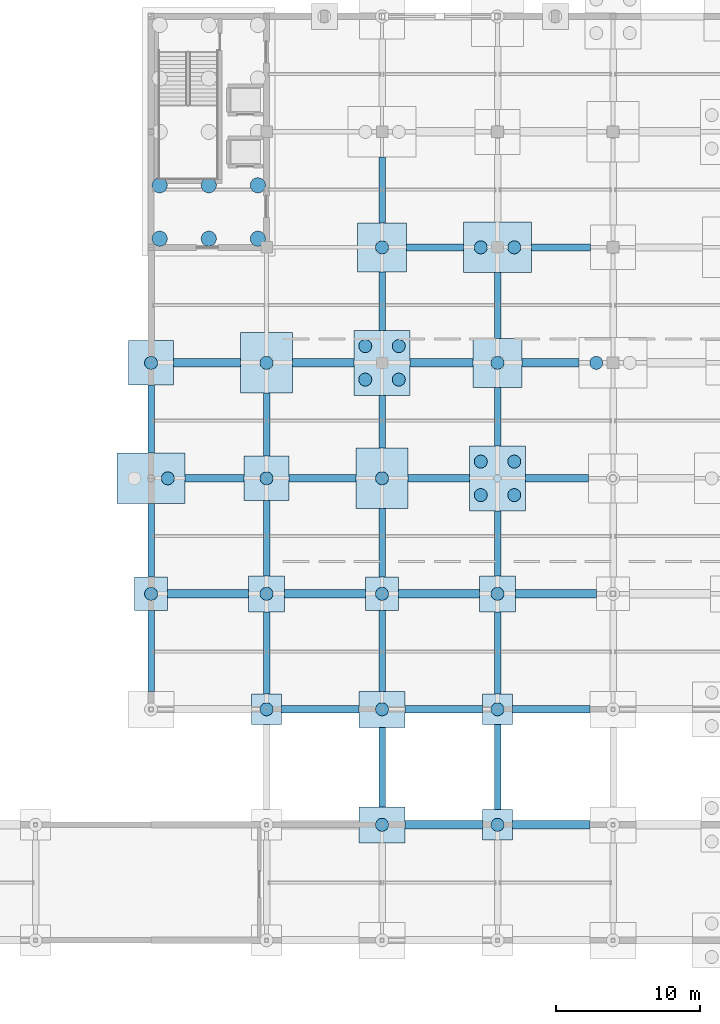
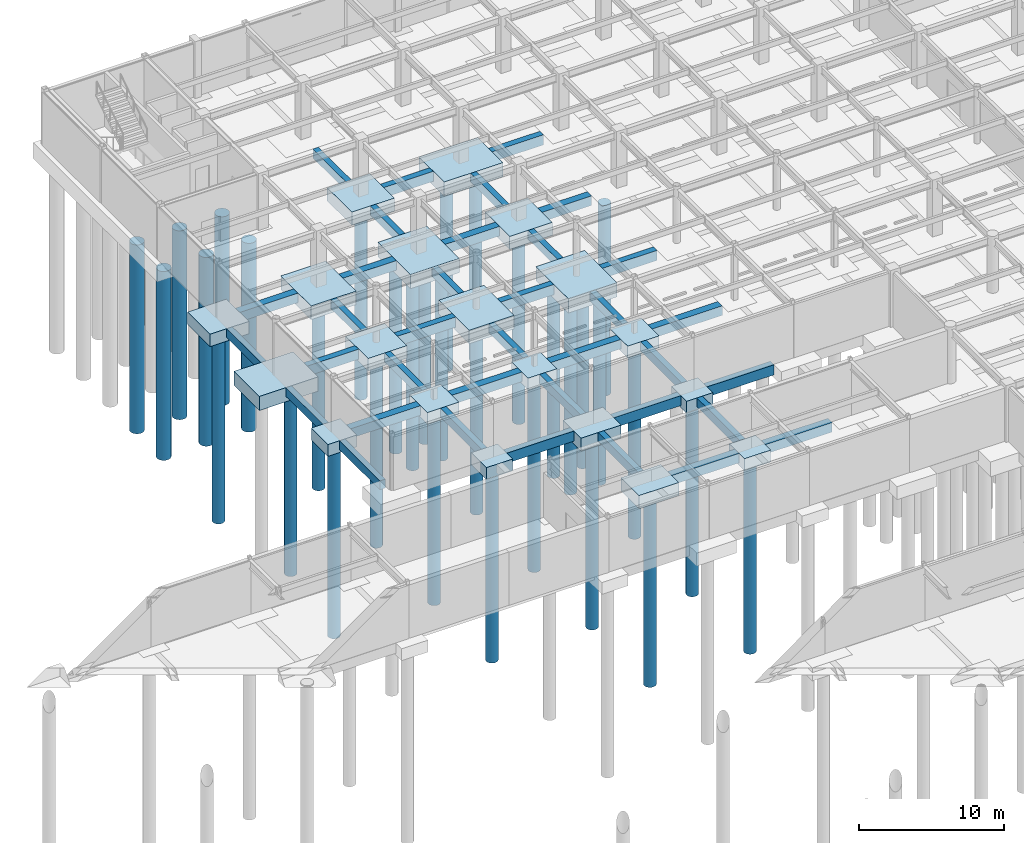
# One storey, part 5 of 105: 55 footings, 33 piles.
"""IFC4 building model written with IfcOpenShell, lengths in metres."""

from ifc_helpers import new_model, si_unit, direction, frame, origin, origin_2d, place, context, subcontext, project, spatial, rectangle, circle, extrude, material, material_profile, profile_set, type_object, element, save


model = new_model("IFC4")

# Units and contexts
model_context = context("Model", 3, precision=1e-05, world=origin(), true_north=direction((0.0, 1.0)))
body_context = subcontext(model_context, "Body", "Model", "MODEL_VIEW")
ifc_project = project(units=[si_unit("LENGTHUNIT", "METRE"), si_unit("AREAUNIT", "SQUARE_METRE"), si_unit("VOLUMEUNIT", "CUBIC_METRE"), si_unit("PLANEANGLEUNIT", "RADIAN"), si_unit("MASSUNIT", "GRAM", prefix="KILO")], contexts=[model_context])

# Site, building, storey
site_placement = place(None, origin())
site = spatial("IfcSite", under=ifc_project, at=site_placement, CompositionType="ELEMENT")
building_placement = place(site_placement, origin())
building = spatial("IfcBuilding", under=site, at=building_placement, Name="Solmirada Galleria", CompositionType="ELEMENT")
storey_placement = place(building_placement, frame((0.0, 0.0, -4.800048828125)))
storey = spatial("IfcBuildingStorey", under=building, at=storey_placement, Name="B1", CompositionType="ELEMENT", Elevation=-4.800048828125)

# Footings
ifc_material_1 = material(Name="Concrete C35/45", Category="concrete")
footing_type_1 = type_object("IfcFootingType", Name="PC-01", PredefinedType="PILE_CAP", material=ifc_material_1)
for number, where, z_axis, x_axis, name in (
    (1, (48.0, 72.0, -1.0), (0.0, 0.0, 1.0), (1.0, 0.0, 0.0), "Pile cap at (48.0, 72.0)"),
    (2, (64.0, 64.0, -1.0), (0.0, 0.0, 1.0), (1.0, 0.0, 0.0), "Pile cap at (64.0, 64.0)"),
    (3, (64.0, 72.0, -1.0), (0.0, 0.0, 1.0), (1.0, 0.0, 0.0), "Pile cap at (64.0, 72.0)"),
):
    element("IfcFooting", number, at=place(storey_placement, frame(where, z_axis=z_axis, x_axis=x_axis)), inside=storey, type_object=footing_type_1, Name=name, PredefinedType="PILE_CAP", context=body_context, shape_type="SweptSolid", body=[
        extrude(rectangle(XDim=2.10009765625, YDim=2.10009765625, at=origin_2d()), origin(), (0.0, 0.0, 1.0), 1.0),
    ])
footing_type_2 = type_object("IfcFootingType", Name="PC-02", PredefinedType="PILE_CAP", material=ifc_material_1)
for number, where, z_axis, x_axis, name in (
    (4, (48.0, 80.0, -1.0), (0.0, 0.0, 1.0), (1.0, 0.0, 0.0), "Pile cap at (48.0, 80.0)"),
    (5, (64.0, 80.0, -1.0), (0.0, 0.0, 1.0), (1.0, 0.0, 0.0), "Pile cap at (64.0, 80.0)"),
):
    element("IfcFooting", number, at=place(storey_placement, frame(where, z_axis=z_axis, x_axis=x_axis)), inside=storey, type_object=footing_type_2, Name=name, PredefinedType="PILE_CAP", context=body_context, shape_type="SweptSolid", body=[
        extrude(rectangle(XDim=2.5, YDim=2.5, at=origin_2d()), origin(), (0.0, 0.0, 1.0), 1.0),
    ])
footing_type_3 = type_object("IfcFootingType", Name="PC-04", PredefinedType="PILE_CAP", material=ifc_material_1)
for number, where, z_axis, x_axis, name in (
    (6, (56.0, 104.0, -1.10009765625), (0.0, 0.0, 1.0), (1.0, 0.0, 0.0), "Pile cap at (56.0, 104.0)"),
    (7, (64.0, 96.0, -1.10009765625), (0.0, 0.0, 1.0), (1.0, 0.0, 0.0), "Pile cap at (64.0, 96.0)"),
):
    element("IfcFooting", number, at=place(storey_placement, frame(where, z_axis=z_axis, x_axis=x_axis)), inside=storey, type_object=footing_type_3, Name=name, PredefinedType="PILE_CAP", context=body_context, shape_type="SweptSolid", body=[
        extrude(rectangle(XDim=3.39990234375, YDim=3.39990234375, at=origin_2d()), origin(), (0.0, 0.0, 1.0), 1.10009765625),
    ])
footing_type_4 = type_object("IfcFootingType", Name="PC-08", PredefinedType="PILE_CAP", material=ifc_material_1)
for number, where, z_axis, x_axis, name in (
    (8, (40.0, 88.0, -1.19970703125), (0.0, 0.0, 1.0), (1.0, 0.0, 0.0), "Pile cap at (40.0, 88.0)"),
    (9, (64.0, 104.0, -1.19970703125), (0.0, 0.0, 1.0), (1.0, 0.0, 0.0), "Pile cap at (64.0, 104.0)"),
):
    element("IfcFooting", number, at=place(storey_placement, frame(where, z_axis=z_axis, x_axis=x_axis)), inside=storey, type_object=footing_type_4, Name=name, PredefinedType="PILE_CAP", context=body_context, shape_type="SweptSolid", body=[
        extrude(rectangle(XDim=4.699951171875, YDim=3.5, at=origin_2d()), origin(), (0.0, 0.0, 1.0), 1.199951171875),
    ])
footing_type_5 = type_object("IfcFootingType", Name="PC-10", PredefinedType="PILE_CAP", material=ifc_material_1)
for number, where, z_axis, x_axis, name in (
    (10, (56.0, 64.0, -1.10009765625), (0.0, 0.0, 1.0), (1.0, 0.0, 0.0), "Pile cap at (56.0, 64.0)"),
    (11, (56.0, 72.0, -1.10009765625), (0.0, 0.0, 1.0), (1.0, 0.0, 0.0), "Pile cap at (56.0, 72.0)"),
):
    element("IfcFooting", number, at=place(storey_placement, frame(where, z_axis=z_axis, x_axis=x_axis)), inside=storey, type_object=footing_type_5, Name=name, PredefinedType="PILE_CAP", context=body_context, shape_type="SweptSolid", body=[
        extrude(rectangle(XDim=3.199951171875, YDim=2.5, at=origin_2d()), origin(), (0.0, 0.0, 1.0), 1.10009765625),
    ])
footing_type_6 = type_object("IfcFootingType", Name="PC-18", PredefinedType="PILE_CAP", material=ifc_material_1)
for number, where, z_axis, x_axis, name in (
    (12, (40.0, 80.0, -1.0), (0.0, 0.0, 1.0), (1.0, 0.0, 0.0), "Pile cap at (40.0, 80.0)"),
    (13, (56.0, 80.0, -1.0), (0.0, 0.0, 1.0), (1.0, 0.0, 0.0), "Pile cap at (56.0, 80.0)"),
):
    element("IfcFooting", number, at=place(storey_placement, frame(where, z_axis=z_axis, x_axis=x_axis)), inside=storey, type_object=footing_type_6, Name=name, PredefinedType="PILE_CAP", context=body_context, shape_type="SweptSolid", body=[
        extrude(rectangle(XDim=2.300048828125, YDim=2.300048828125, at=origin_2d()), origin(), (0.0, 0.0, 1.0), 1.0),
    ])
footing_type_7 = type_object("IfcFootingType", Name="PC-20", PredefinedType="PILE_CAP", material=ifc_material_1)
for number, where, z_axis, x_axis, name in (
    (14, (40.0, 96.0, -1.0498046875), (0.0, 0.0, 1.0), (1.0, 0.0, 0.0), "Pile cap at (40.0, 96.0)"),
    (15, (48.0, 88.0, -1.0498046875), (0.0, 0.0, 1.0), (1.0, 0.0, 0.0), "Pile cap at (48.0, 88.0)"),
):
    element("IfcFooting", number, at=place(storey_placement, frame(where, z_axis=z_axis, x_axis=x_axis)), inside=storey, type_object=footing_type_7, Name=name, PredefinedType="PILE_CAP", context=body_context, shape_type="SweptSolid", body=[
        extrude(rectangle(XDim=3.10009765625, YDim=3.10009765625, at=origin_2d()), origin(), (0.0, 0.0, 1.0), 1.050048828125),
    ])
footing_type_8 = type_object("IfcFootingType", Name="PC-25", PredefinedType="PILE_CAP", material=ifc_material_1)
for number, where, z_axis, x_axis, name in (
    (16, (48.0, 96.0, -1.14990234375), (0.0, 0.0, 1.0), (1.0, 0.0, 0.0), "Pile cap at (48.0, 96.0)"),
    (17, (56.0, 88.0, -1.14990234375), (0.0, 0.0, 1.0), (1.0, 0.0, 0.0), "Pile cap at (56.0, 88.0)"),
):
    element("IfcFooting", number, at=place(storey_placement, frame(where, z_axis=z_axis, x_axis=x_axis)), inside=storey, type_object=footing_type_8, Name=name, PredefinedType="PILE_CAP", context=body_context, shape_type="SweptSolid", body=[
        extrude(rectangle(XDim=3.60009765625, YDim=4.199951171875, at=origin_2d()), origin(), (0.0, 0.0, 1.0), 1.14990234375),
    ])
footing_type_9 = type_object("IfcFootingType", Name="PC-26", PredefinedType="PILE_CAP", material=ifc_material_1)
for number, where, z_axis, x_axis, name in (
    (18, (56.0, 96.0, -1.19970703125), (0.0, 0.0, 1.0), (1.0, 0.0, 0.0), "Pile cap at (56.0, 96.0)"),
    (19, (64.0, 88.0, -1.19970703125), (0.0, 0.0, 1.0), (1.0, 0.0, 0.0), "Pile cap at (64.0, 88.0)"),
):
    element("IfcFooting", number, at=place(storey_placement, frame(where, z_axis=z_axis, x_axis=x_axis)), inside=storey, type_object=footing_type_9, Name=name, PredefinedType="PILE_CAP", context=body_context, shape_type="SweptSolid", body=[
        extrude(rectangle(XDim=3.89990234375, YDim=4.5, at=origin_2d()), origin(), (0.0, 0.0, 1.0), 1.199951171875),
    ])

# Piles
ifc_material_2 = material(Name="Concrete C40/50", Category="concrete")
ifc_material_profile_1 = material_profile(ifc_material_2, circle(Radius=0.52490234375, at=origin_2d()), Name="PILE1050")
ifc_profile_set_1 = profile_set([ifc_material_profile_1], Name="Concrete C40/50")
pile_type_1 = type_object("IfcPileType", Name="PILE-1050", PredefinedType="BORED", material=ifc_profile_set_1)
for number, where, z_axis, x_axis, name in (
    (20, (40.60009765625, 104.60009765625, -1.25), (0.0, 0.0, -1.0), (1.0, 0.0, 0.0), "Tampa limestone bored pile C1-01"),
    (21, (40.60009765625, 108.300048828125, -1.25), (0.0, 0.0, -1.0), (1.0, 0.0, 0.0), "Tampa limestone bored pile C1-02"),
    (22, (44.0, 104.60009765625, -1.25), (0.0, 0.0, -1.0), (1.0, 0.0, 0.0), "Tampa limestone bored pile C1-06"),
    (23, (44.0, 108.300048828125, -1.25), (0.0, 0.0, -1.0), (1.0, 0.0, 0.0), "Tampa limestone bored pile C1-07"),
    (24, (47.39990234375, 104.60009765625, -1.25), (0.0, 0.0, -1.0), (1.0, 0.0, 0.0), "Tampa limestone bored pile C1-11"),
    (25, (47.39990234375, 108.300048828125, -1.25), (0.0, 0.0, -1.0), (1.0, 0.0, 0.0), "Tampa limestone bored pile C1-12"),
):
    element("IfcPile", number, at=place(storey_placement, frame(where, z_axis=z_axis, x_axis=x_axis)), inside=storey, type_object=pile_type_1, Name=name, PredefinedType="BORED", context=body_context, shape_type="SweptSolid", body=[
        extrude(circle(Radius=0.52490234375, at=origin_2d()), origin(), (0.0, 0.0, 1.0), 15.949951171875),
    ])
ifc_material_profile_2 = material_profile(ifc_material_2, circle(Radius=0.449951171875, at=origin_2d()), Name="PILE900")
ifc_profile_set_2 = profile_set([ifc_material_profile_2], Name="Concrete C40/50")
pile_type_2 = type_object("IfcPileType", Name="PILE-900", PredefinedType="BORED", material=ifc_profile_set_2)
pile_1_placement = place(storey_placement, frame((40.0, 80.0, -0.89990234375), z_axis=(0.0, 0.0, -1.0), x_axis=(1.0, 0.0, 0.0)))
element("IfcPile", 26, at=pile_1_placement, inside=storey, type_object=pile_type_2, Name="Bored pile at (40.00, 80.00)", PredefinedType="BORED", context=body_context, shape_type="SweptSolid", body=[
    extrude(circle(Radius=0.449951171875, at=origin_2d()), origin(), (0.0, 0.0, 1.0), 16.300048828125),
])
pile_2_placement = place(storey_placement, frame((41.159912109375, 88.0, -1.099853515625), z_axis=(0.0, 0.0, -1.0), x_axis=(1.0, 0.0, 0.0)))
element("IfcPile", 27, at=pile_2_placement, inside=storey, type_object=pile_type_2, Name="Bored pile at (41.16, 88.00)", PredefinedType="BORED", context=body_context, shape_type="SweptSolid", body=[
    extrude(circle(Radius=0.449951171875, at=origin_2d()), origin(), (0.0, 0.0, 1.0), 16.10009765625),
])
pile_3_placement = place(storey_placement, frame((40.0, 96.0, -0.949951171875), z_axis=(0.0, 0.0, -1.0), x_axis=(1.0, 0.0, 0.0)))
element("IfcPile", 28, at=pile_3_placement, inside=storey, type_object=pile_type_2, Name="Bored pile at (40.00, 96.00)", PredefinedType="BORED", context=body_context, shape_type="SweptSolid", body=[
    extrude(circle(Radius=0.449951171875, at=origin_2d()), origin(), (0.0, 0.0, 1.0), 16.25),
])
for number, where, z_axis, x_axis, name in (
    (29, (48.0, 72.0, -0.89990234375), (0.0, 0.0, -1.0), (1.0, 0.0, 0.0), "Bored pile at (48.00, 72.00)"),
    (30, (48.0, 80.0, -0.89990234375), (0.0, 0.0, -1.0), (1.0, 0.0, 0.0), "Bored pile at (48.00, 80.00)"),
):
    element("IfcPile", number, at=place(storey_placement, frame(where, z_axis=z_axis, x_axis=x_axis)), inside=storey, type_object=pile_type_2, Name=name, PredefinedType="BORED", context=body_context, shape_type="SweptSolid", body=[
        extrude(circle(Radius=0.449951171875, at=origin_2d()), origin(), (0.0, 0.0, 1.0), 16.300048828125),
    ])
pile_4_placement = place(storey_placement, frame((48.0, 88.0, -0.949951171875), z_axis=(0.0, 0.0, -1.0), x_axis=(1.0, 0.0, 0.0)))
element("IfcPile", 31, at=pile_4_placement, inside=storey, type_object=pile_type_2, Name="Bored pile at (48.00, 88.00)", PredefinedType="BORED", context=body_context, shape_type="SweptSolid", body=[
    extrude(circle(Radius=0.449951171875, at=origin_2d()), origin(), (0.0, 0.0, 1.0), 16.25),
])
pile_5_placement = place(storey_placement, frame((48.0, 96.0, -1.050048828125), z_axis=(0.0, 0.0, -1.0), x_axis=(1.0, 0.0, 0.0)))
element("IfcPile", 32, at=pile_5_placement, inside=storey, type_object=pile_type_2, Name="Bored pile at (48.00, 96.00)", PredefinedType="BORED", context=body_context, shape_type="SweptSolid", body=[
    extrude(circle(Radius=0.449951171875, at=origin_2d()), origin(), (0.0, 0.0, 1.0), 16.14990234375),
])
for number, where, z_axis, x_axis, name in (
    (33, (56.0, 64.0, -1.0), (0.0, 0.0, -1.0), (1.0, 0.0, 0.0), "Bored pile at (56.00, 64.00)"),
    (34, (56.0, 72.0, -1.0), (0.0, 0.0, -1.0), (1.0, 0.0, 0.0), "Bored pile at (56.00, 72.00)"),
):
    element("IfcPile", number, at=place(storey_placement, frame(where, z_axis=z_axis, x_axis=x_axis)), inside=storey, type_object=pile_type_2, Name=name, PredefinedType="BORED", context=body_context, shape_type="SweptSolid", body=[
        extrude(circle(Radius=0.449951171875, at=origin_2d()), origin(), (0.0, 0.0, 1.0), 16.199951171875),
    ])
pile_6_placement = place(storey_placement, frame((56.0, 80.0, -0.89990234375), z_axis=(0.0, 0.0, -1.0), x_axis=(1.0, 0.0, 0.0)))
element("IfcPile", 35, at=pile_6_placement, inside=storey, type_object=pile_type_2, Name="Bored pile at (56.00, 80.00)", PredefinedType="BORED", context=body_context, shape_type="SweptSolid", body=[
    extrude(circle(Radius=0.449951171875, at=origin_2d()), origin(), (0.0, 0.0, 1.0), 16.300048828125),
])
pile_7_placement = place(storey_placement, frame((56.0, 88.0, -1.050048828125), z_axis=(0.0, 0.0, -1.0), x_axis=(1.0, 0.0, 0.0)))
element("IfcPile", 36, at=pile_7_placement, inside=storey, type_object=pile_type_2, Name="Bored pile at (56.00, 88.00)", PredefinedType="BORED", context=body_context, shape_type="SweptSolid", body=[
    extrude(circle(Radius=0.449951171875, at=origin_2d()), origin(), (0.0, 0.0, 1.0), 16.14990234375),
])
for number, where, z_axis, x_axis, name in (
    (37, (54.840087890625, 94.840087890625, -1.099853515625), (0.0, 0.0, -1.0), (1.0, 0.0, 0.0), "Bored pile at (54.84, 94.84)"),
    (38, (57.159912109375, 94.840087890625, -1.099853515625), (0.0, 0.0, -1.0), (1.0, 0.0, 0.0), "Bored pile at (57.16, 94.84)"),
    (39, (54.840087890625, 97.159912109375, -1.099853515625), (0.0, 0.0, -1.0), (1.0, 0.0, 0.0), "Bored pile at (54.84, 97.16)"),
    (40, (57.159912109375, 97.159912109375, -1.099853515625), (0.0, 0.0, -1.0), (1.0, 0.0, 0.0), "Bored pile at (57.16, 97.16)"),
):
    element("IfcPile", number, at=place(storey_placement, frame(where, z_axis=z_axis, x_axis=x_axis)), inside=storey, type_object=pile_type_2, Name=name, PredefinedType="BORED", context=body_context, shape_type="SweptSolid", body=[
        extrude(circle(Radius=0.449951171875, at=origin_2d()), origin(), (0.0, 0.0, 1.0), 16.10009765625),
    ])
pile_8_placement = place(storey_placement, frame((56.0, 104.0, -1.0), z_axis=(0.0, 0.0, -1.0), x_axis=(1.0, 0.0, 0.0)))
element("IfcPile", 41, at=pile_8_placement, inside=storey, type_object=pile_type_2, Name="Bored pile at (56.00, 104.00)", PredefinedType="BORED", context=body_context, shape_type="SweptSolid", body=[
    extrude(circle(Radius=0.449951171875, at=origin_2d()), origin(), (0.0, 0.0, 1.0), 16.199951171875),
])
for number, where, z_axis, x_axis, name in (
    (42, (64.0, 64.0, -0.89990234375), (0.0, 0.0, -1.0), (1.0, 0.0, 0.0), "Bored pile at (64.00, 64.00)"),
    (43, (64.0, 72.0, -0.89990234375), (0.0, 0.0, -1.0), (1.0, 0.0, 0.0), "Bored pile at (64.00, 72.00)"),
    (44, (64.0, 80.0, -0.89990234375), (0.0, 0.0, -1.0), (1.0, 0.0, 0.0), "Bored pile at (64.00, 80.00)"),
):
    element("IfcPile", number, at=place(storey_placement, frame(where, z_axis=z_axis, x_axis=x_axis)), inside=storey, type_object=pile_type_2, Name=name, PredefinedType="BORED", context=body_context, shape_type="SweptSolid", body=[
        extrude(circle(Radius=0.449951171875, at=origin_2d()), origin(), (0.0, 0.0, 1.0), 16.300048828125),
    ])
for number, where, z_axis, x_axis, name in (
    (45, (62.840087890625, 86.840087890625, -1.099853515625), (0.0, 0.0, -1.0), (1.0, 0.0, 0.0), "Bored pile at (62.84, 86.84)"),
    (46, (65.159912109375, 86.840087890625, -1.099853515625), (0.0, 0.0, -1.0), (1.0, 0.0, 0.0), "Bored pile at (65.16, 86.84)"),
    (47, (62.840087890625, 89.159912109375, -1.099853515625), (0.0, 0.0, -1.0), (1.0, 0.0, 0.0), "Bored pile at (62.84, 89.16)"),
    (48, (65.159912109375, 89.159912109375, -1.099853515625), (0.0, 0.0, -1.0), (1.0, 0.0, 0.0), "Bored pile at (65.16, 89.16)"),
):
    element("IfcPile", number, at=place(storey_placement, frame(where, z_axis=z_axis, x_axis=x_axis)), inside=storey, type_object=pile_type_2, Name=name, PredefinedType="BORED", context=body_context, shape_type="SweptSolid", body=[
        extrude(circle(Radius=0.449951171875, at=origin_2d()), origin(), (0.0, 0.0, 1.0), 16.10009765625),
    ])
pile_9_placement = place(storey_placement, frame((64.0, 96.0, -1.0), z_axis=(0.0, 0.0, -1.0), x_axis=(1.0, 0.0, 0.0)))
element("IfcPile", 49, at=pile_9_placement, inside=storey, type_object=pile_type_2, Name="Bored pile at (64.00, 96.00)", PredefinedType="BORED", context=body_context, shape_type="SweptSolid", body=[
    extrude(circle(Radius=0.449951171875, at=origin_2d()), origin(), (0.0, 0.0, 1.0), 16.199951171875),
])
for number, where, z_axis, x_axis, name in (
    (50, (62.840087890625, 104.0, -1.099853515625), (0.0, 0.0, -1.0), (1.0, 0.0, 0.0), "Bored pile at (62.84, 104.00)"),
    (51, (65.159912109375, 104.0, -1.099853515625), (0.0, 0.0, -1.0), (1.0, 0.0, 0.0), "Bored pile at (65.16, 104.00)"),
    (52, (70.840087890625, 96.0, -1.099853515625), (0.0, 0.0, -1.0), (1.0, 0.0, 0.0), "Bored pile at (70.84, 96.00)"),
):
    element("IfcPile", number, at=place(storey_placement, frame(where, z_axis=z_axis, x_axis=x_axis)), inside=storey, type_object=pile_type_2, Name=name, PredefinedType="BORED", context=body_context, shape_type="SweptSolid", body=[
        extrude(circle(Radius=0.449951171875, at=origin_2d()), origin(), (0.0, 0.0, 1.0), 16.10009765625),
    ])

# Footings
ifc_material_profile_3 = material_profile(ifc_material_1, rectangle(XDim=0.449951171875, YDim=0.75, at=origin_2d()), Name="RC750X450")
ifc_profile_set_3 = profile_set([ifc_material_profile_3], Name="Concrete C35/45")
footing_type_10 = type_object("IfcFootingType", Name="TB-750X450", PredefinedType="FOOTING_BEAM", material=ifc_profile_set_3)
footing_1_placement = place(storey_placement, frame((40.0, 73.25, -0.375), z_axis=(0.0, 1.0, 0.0), x_axis=(-1.0, 0.0, 0.0)))
element("IfcFooting", 53, at=footing_1_placement, inside=storey, type_object=footing_type_10, Name="Foundation tie beam Y (40, 72..80)", PredefinedType="FOOTING_BEAM", context=body_context, shape_type="SweptSolid", body=[
    extrude(rectangle(XDim=0.449951171875, YDim=0.75, at=origin_2d()), origin(), (0.0, 0.0, 1.0), 5.60009765625),
])
footing_2_placement = place(storey_placement, frame((40.0, 81.14990234375, -0.375), z_axis=(0.0, 1.0, 0.0), x_axis=(-1.0, 0.0, 0.0)))
element("IfcFooting", 54, at=footing_2_placement, inside=storey, type_object=footing_type_10, Name="Foundation tie beam Y (40, 80..88)", PredefinedType="FOOTING_BEAM", context=body_context, shape_type="SweptSolid", body=[
    extrude(rectangle(XDim=0.449951171875, YDim=0.75, at=origin_2d()), origin(), (0.0, 0.0, 1.0), 5.10009765625),
])
footing_3_placement = place(storey_placement, frame((40.0, 89.75, -0.375), z_axis=(0.0, 1.0, 0.0), x_axis=(-1.0, 0.0, 0.0)))
element("IfcFooting", 55, at=footing_3_placement, inside=storey, type_object=footing_type_10, Name="Foundation tie beam Y (40, 88..96)", PredefinedType="FOOTING_BEAM", context=body_context, shape_type="SweptSolid", body=[
    extrude(rectangle(XDim=0.449951171875, YDim=0.75, at=origin_2d()), origin(), (0.0, 0.0, 1.0), 4.699951171875),
])
footing_4_placement = place(storey_placement, frame((48.0, 73.050048828125, -0.375), z_axis=(0.0, 1.0, 0.0), x_axis=(-1.0, 0.0, 0.0)))
element("IfcFooting", 56, at=footing_4_placement, inside=storey, type_object=footing_type_10, Name="Foundation tie beam Y (48, 72..80)", PredefinedType="FOOTING_BEAM", context=body_context, shape_type="SweptSolid", body=[
    extrude(rectangle(XDim=0.449951171875, YDim=0.75, at=origin_2d()), origin(), (0.0, 0.0, 1.0), 5.699951171875),
])
footing_5_placement = place(storey_placement, frame((48.0, 81.25, -0.375), z_axis=(0.0, 1.0, 0.0), x_axis=(-1.0, 0.0, 0.0)))
element("IfcFooting", 57, at=footing_5_placement, inside=storey, type_object=footing_type_10, Name="Foundation tie beam Y (48, 80..88)", PredefinedType="FOOTING_BEAM", context=body_context, shape_type="SweptSolid", body=[
    extrude(rectangle(XDim=0.449951171875, YDim=0.75, at=origin_2d()), origin(), (0.0, 0.0, 1.0), 5.199951171875),
])
footing_6_placement = place(storey_placement, frame((48.0, 89.550048828125, -0.375), z_axis=(0.0, 1.0, 0.0), x_axis=(-1.0, 0.0, 0.0)))
element("IfcFooting", 58, at=footing_6_placement, inside=storey, type_object=footing_type_10, Name="Foundation tie beam Y (48, 88..96)", PredefinedType="FOOTING_BEAM", context=body_context, shape_type="SweptSolid", body=[
    extrude(rectangle(XDim=0.449951171875, YDim=0.75, at=origin_2d()), origin(), (0.0, 0.0, 1.0), 4.349853515625),
])
footing_7_placement = place(storey_placement, frame((56.0, 65.25, -0.375), z_axis=(0.0, 1.0, 0.0), x_axis=(-1.0, 0.0, 0.0)))
element("IfcFooting", 59, at=footing_7_placement, inside=storey, type_object=footing_type_10, Name="Foundation tie beam Y (56, 64..72)", PredefinedType="FOOTING_BEAM", context=body_context, shape_type="SweptSolid", body=[
    extrude(rectangle(XDim=0.449951171875, YDim=0.75, at=origin_2d()), origin(), (0.0, 0.0, 1.0), 5.5),
])
footing_8_placement = place(storey_placement, frame((56.0, 73.25, -0.375), z_axis=(0.0, 1.0, 0.0), x_axis=(-1.0, 0.0, 0.0)))
element("IfcFooting", 60, at=footing_8_placement, inside=storey, type_object=footing_type_10, Name="Foundation tie beam Y (56, 72..80)", PredefinedType="FOOTING_BEAM", context=body_context, shape_type="SweptSolid", body=[
    extrude(rectangle(XDim=0.449951171875, YDim=0.75, at=origin_2d()), origin(), (0.0, 0.0, 1.0), 5.60009765625),
])
footing_9_placement = place(storey_placement, frame((56.0, 81.14990234375, -0.375), z_axis=(0.0, 1.0, 0.0), x_axis=(-1.0, 0.0, 0.0)))
element("IfcFooting", 61, at=footing_9_placement, inside=storey, type_object=footing_type_10, Name="Foundation tie beam Y (56, 80..88)", PredefinedType="FOOTING_BEAM", context=body_context, shape_type="SweptSolid", body=[
    extrude(rectangle(XDim=0.449951171875, YDim=0.75, at=origin_2d()), origin(), (0.0, 0.0, 1.0), 4.75),
])
footing_10_placement = place(storey_placement, frame((56.0, 90.10009765625, -0.375), z_axis=(0.0, 1.0, 0.0), x_axis=(-1.0, 0.0, 0.0)))
element("IfcFooting", 62, at=footing_10_placement, inside=storey, type_object=footing_type_10, Name="Foundation tie beam Y (56, 88..96)", PredefinedType="FOOTING_BEAM", context=body_context, shape_type="SweptSolid", body=[
    extrude(rectangle(XDim=0.449951171875, YDim=0.75, at=origin_2d()), origin(), (0.0, 0.0, 1.0), 3.64990234375),
])
footing_11_placement = place(storey_placement, frame((56.0, 98.25, -0.375), z_axis=(0.0, 1.0, 0.0), x_axis=(-1.0, 0.0, 0.0)))
element("IfcFooting", 63, at=footing_11_placement, inside=storey, type_object=footing_type_10, Name="Foundation tie beam Y (56, 96..104)", PredefinedType="FOOTING_BEAM", context=body_context, shape_type="SweptSolid", body=[
    extrude(rectangle(XDim=0.449951171875, YDim=0.75, at=origin_2d()), origin(), (0.0, 0.0, 1.0), 4.050048828125),
])
footing_12_placement = place(storey_placement, frame((56.0, 105.699951171875, -0.375), z_axis=(0.0, 1.0, 0.0), x_axis=(-1.0, 0.0, 0.0)))
element("IfcFooting", 64, at=footing_12_placement, inside=storey, type_object=footing_type_10, Name="Foundation tie beam Y (56, 104..112)", PredefinedType="FOOTING_BEAM", context=body_context, shape_type="SweptSolid", body=[
    extrude(rectangle(XDim=0.449951171875, YDim=0.75, at=origin_2d()), origin(), (0.0, 0.0, 1.0), 4.550048828125),
])
footing_13_placement = place(storey_placement, frame((64.0, 65.050048828125, -0.375), z_axis=(0.0, 1.0, 0.0), x_axis=(-1.0, 0.0, 0.0)))
element("IfcFooting", 65, at=footing_13_placement, inside=storey, type_object=footing_type_10, Name="Foundation tie beam Y (64, 64..72)", PredefinedType="FOOTING_BEAM", context=body_context, shape_type="SweptSolid", body=[
    extrude(rectangle(XDim=0.449951171875, YDim=0.75, at=origin_2d()), origin(), (0.0, 0.0, 1.0), 5.89990234375),
])
footing_14_placement = place(storey_placement, frame((64.0, 73.050048828125, -0.375), z_axis=(0.0, 1.0, 0.0), x_axis=(-1.0, 0.0, 0.0)))
element("IfcFooting", 66, at=footing_14_placement, inside=storey, type_object=footing_type_10, Name="Foundation tie beam Y (64, 72..80)", PredefinedType="FOOTING_BEAM", context=body_context, shape_type="SweptSolid", body=[
    extrude(rectangle(XDim=0.449951171875, YDim=0.75, at=origin_2d()), origin(), (0.0, 0.0, 1.0), 5.699951171875),
])
footing_15_placement = place(storey_placement, frame((64.0, 81.25, -0.375), z_axis=(0.0, 1.0, 0.0), x_axis=(-1.0, 0.0, 0.0)))
element("IfcFooting", 67, at=footing_15_placement, inside=storey, type_object=footing_type_10, Name="Foundation tie beam Y (64, 80..88)", PredefinedType="FOOTING_BEAM", context=body_context, shape_type="SweptSolid", body=[
    extrude(rectangle(XDim=0.449951171875, YDim=0.75, at=origin_2d()), origin(), (0.0, 0.0, 1.0), 4.5),
])
footing_16_placement = place(storey_placement, frame((64.0, 90.25, -0.375), z_axis=(0.0, 1.0, 0.0), x_axis=(-1.0, 0.0, 0.0)))
element("IfcFooting", 68, at=footing_16_placement, inside=storey, type_object=footing_type_10, Name="Foundation tie beam Y (64, 88..96)", PredefinedType="FOOTING_BEAM", context=body_context, shape_type="SweptSolid", body=[
    extrude(rectangle(XDim=0.449951171875, YDim=0.75, at=origin_2d()), origin(), (0.0, 0.0, 1.0), 4.050048828125),
])
footing_17_placement = place(storey_placement, frame((64.0, 97.699951171875, -0.375), z_axis=(0.0, 1.0, 0.0), x_axis=(-1.0, 0.0, 0.0)))
element("IfcFooting", 69, at=footing_17_placement, inside=storey, type_object=footing_type_10, Name="Foundation tie beam Y (64, 96..104)", PredefinedType="FOOTING_BEAM", context=body_context, shape_type="SweptSolid", body=[
    extrude(rectangle(XDim=0.449951171875, YDim=0.75, at=origin_2d()), origin(), (0.0, 0.0, 1.0), 4.550048828125),
])
ifc_material_profile_4 = material_profile(ifc_material_1, rectangle(XDim=0.60009765625, YDim=0.800048828125, at=origin_2d()), Name="RC800X600")
ifc_profile_set_4 = profile_set([ifc_material_profile_4], Name="Concrete C35/45")
footing_type_11 = type_object("IfcFootingType", Name="TB-800X600", PredefinedType="FOOTING_BEAM", material=ifc_profile_set_4)
footing_18_placement = place(storey_placement, frame((41.14990234375, 80.0, -0.39990234375), z_axis=(1.0, 0.0, 0.0), x_axis=(0.0, 1.0, 0.0)))
element("IfcFooting", 70, at=footing_18_placement, inside=storey, type_object=footing_type_11, Name="Foundation tie beam X (40..48, 80)", PredefinedType="FOOTING_BEAM", context=body_context, shape_type="SweptSolid", body=[
    extrude(rectangle(XDim=0.60009765625, YDim=0.800048828125, at=origin_2d()), origin(), (0.0, 0.0, 1.0), 5.60009765625),
])
footing_19_placement = place(storey_placement, frame((41.550048828125, 96.0, -0.39990234375), z_axis=(1.0, 0.0, 0.0), x_axis=(0.0, 1.0, 0.0)))
element("IfcFooting", 71, at=footing_19_placement, inside=storey, type_object=footing_type_11, Name="Foundation tie beam X (40..48, 96)", PredefinedType="FOOTING_BEAM", context=body_context, shape_type="SweptSolid", body=[
    extrude(rectangle(XDim=0.60009765625, YDim=0.800048828125, at=origin_2d()), origin(), (0.0, 0.0, 1.0), 4.64990234375),
])
footing_20_placement = place(storey_placement, frame((49.25, 80.0, -0.39990234375), z_axis=(1.0, 0.0, 0.0), x_axis=(0.0, 1.0, 0.0)))
element("IfcFooting", 72, at=footing_20_placement, inside=storey, type_object=footing_type_11, Name="Foundation tie beam X (48..56, 80)", PredefinedType="FOOTING_BEAM", context=body_context, shape_type="SweptSolid", body=[
    extrude(rectangle(XDim=0.60009765625, YDim=0.800048828125, at=origin_2d()), origin(), (0.0, 0.0, 1.0), 5.60009765625),
])
footing_21_placement = place(storey_placement, frame((49.800048828125, 96.0, -0.39990234375), z_axis=(1.0, 0.0, 0.0), x_axis=(0.0, 1.0, 0.0)))
element("IfcFooting", 73, at=footing_21_placement, inside=storey, type_object=footing_type_11, Name="Foundation tie beam X (48..56, 96)", PredefinedType="FOOTING_BEAM", context=body_context, shape_type="SweptSolid", body=[
    extrude(rectangle(XDim=0.60009765625, YDim=0.800048828125, at=origin_2d()), origin(), (0.0, 0.0, 1.0), 4.25),
])
footing_22_placement = place(storey_placement, frame((57.60009765625, 64.0, -0.39990234375), z_axis=(1.0, 0.0, 0.0), x_axis=(0.0, 1.0, 0.0)))
element("IfcFooting", 74, at=footing_22_placement, inside=storey, type_object=footing_type_11, Name="Foundation tie beam X (56..64, 64)", PredefinedType="FOOTING_BEAM", context=body_context, shape_type="SweptSolid", body=[
    extrude(rectangle(XDim=0.60009765625, YDim=0.800048828125, at=origin_2d()), origin(), (0.0, 0.0, 1.0), 5.349853515625),
])
footing_23_placement = place(storey_placement, frame((57.14990234375, 80.0, -0.39990234375), z_axis=(1.0, 0.0, 0.0), x_axis=(0.0, 1.0, 0.0)))
element("IfcFooting", 75, at=footing_23_placement, inside=storey, type_object=footing_type_11, Name="Foundation tie beam X (56..64, 80)", PredefinedType="FOOTING_BEAM", context=body_context, shape_type="SweptSolid", body=[
    extrude(rectangle(XDim=0.60009765625, YDim=0.800048828125, at=origin_2d()), origin(), (0.0, 0.0, 1.0), 5.60009765625),
])
footing_24_placement = place(storey_placement, frame((57.949951171875, 96.0, -0.39990234375), z_axis=(1.0, 0.0, 0.0), x_axis=(0.0, 1.0, 0.0)))
element("IfcFooting", 76, at=footing_24_placement, inside=storey, type_object=footing_type_11, Name="Foundation tie beam X (56..64, 96)", PredefinedType="FOOTING_BEAM", context=body_context, shape_type="SweptSolid", body=[
    extrude(rectangle(XDim=0.60009765625, YDim=0.800048828125, at=origin_2d()), origin(), (0.0, 0.0, 1.0), 4.35009765625),
])
footing_25_placement = place(storey_placement, frame((65.050048828125, 64.0, -0.39990234375), z_axis=(1.0, 0.0, 0.0), x_axis=(0.0, 1.0, 0.0)))
element("IfcFooting", 77, at=footing_25_placement, inside=storey, type_object=footing_type_11, Name="Foundation tie beam X (64..72, 64)", PredefinedType="FOOTING_BEAM", context=body_context, shape_type="SweptSolid", body=[
    extrude(rectangle(XDim=0.60009765625, YDim=0.800048828125, at=origin_2d()), origin(), (0.0, 0.0, 1.0), 5.349853515625),
])
footing_26_placement = place(storey_placement, frame((65.25, 80.0, -0.39990234375), z_axis=(1.0, 0.0, 0.0), x_axis=(0.0, 1.0, 0.0)))
element("IfcFooting", 78, at=footing_26_placement, inside=storey, type_object=footing_type_11, Name="Foundation tie beam X (64..72, 80)", PredefinedType="FOOTING_BEAM", context=body_context, shape_type="SweptSolid", body=[
    extrude(rectangle(XDim=0.60009765625, YDim=0.800048828125, at=origin_2d()), origin(), (0.0, 0.0, 1.0), 5.60009765625),
])
footing_27_placement = place(storey_placement, frame((65.699951171875, 96.0, -0.39990234375), z_axis=(1.0, 0.0, 0.0), x_axis=(0.0, 1.0, 0.0)))
element("IfcFooting", 79, at=footing_27_placement, inside=storey, type_object=footing_type_11, Name="Foundation tie beam X (64..72, 96)", PredefinedType="FOOTING_BEAM", context=body_context, shape_type="SweptSolid", body=[
    extrude(rectangle(XDim=0.60009765625, YDim=0.800048828125, at=origin_2d()), origin(), (0.0, 0.0, 1.0), 3.949951171875),
])
ifc_material_profile_5 = material_profile(ifc_material_1, rectangle(XDim=0.5, YDim=0.85009765625, at=origin_2d()), Name="RC850X500")
ifc_profile_set_5 = profile_set([ifc_material_profile_5], Name="Concrete C35/45")
footing_type_12 = type_object("IfcFootingType", Name="TB-850X500", PredefinedType="FOOTING_BEAM", material=ifc_profile_set_5)
footing_28_placement = place(storey_placement, frame((42.35009765625, 88.0, -0.425048828125), z_axis=(1.0, 0.0, 0.0), x_axis=(0.0, 1.0, 0.0)))
element("IfcFooting", 80, at=footing_28_placement, inside=storey, type_object=footing_type_12, Name="Foundation tie beam X (40..48, 88)", PredefinedType="FOOTING_BEAM", context=body_context, shape_type="SweptSolid", body=[
    extrude(rectangle(XDim=0.5, YDim=0.85009765625, at=origin_2d()), origin(), (0.0, 0.0, 1.0), 4.099853515625),
])
footing_29_placement = place(storey_placement, frame((49.050048828125, 72.0, -0.425048828125), z_axis=(1.0, 0.0, 0.0), x_axis=(0.0, 1.0, 0.0)))
element("IfcFooting", 81, at=footing_29_placement, inside=storey, type_object=footing_type_12, Name="Foundation tie beam X (48..56, 72)", PredefinedType="FOOTING_BEAM", context=body_context, shape_type="SweptSolid", body=[
    extrude(rectangle(XDim=0.5, YDim=0.85009765625, at=origin_2d()), origin(), (0.0, 0.0, 1.0), 5.349853515625),
])
footing_30_placement = place(storey_placement, frame((49.550048828125, 88.0, -0.425048828125), z_axis=(1.0, 0.0, 0.0), x_axis=(0.0, 1.0, 0.0)))
element("IfcFooting", 82, at=footing_30_placement, inside=storey, type_object=footing_type_12, Name="Foundation tie beam X (48..56, 88)", PredefinedType="FOOTING_BEAM", context=body_context, shape_type="SweptSolid", body=[
    extrude(rectangle(XDim=0.5, YDim=0.85009765625, at=origin_2d()), origin(), (0.0, 0.0, 1.0), 4.64990234375),
])
footing_31_placement = place(storey_placement, frame((57.60009765625, 72.0, -0.425048828125), z_axis=(1.0, 0.0, 0.0), x_axis=(0.0, 1.0, 0.0)))
element("IfcFooting", 83, at=footing_31_placement, inside=storey, type_object=footing_type_12, Name="Foundation tie beam X (56..64, 72)", PredefinedType="FOOTING_BEAM", context=body_context, shape_type="SweptSolid", body=[
    extrude(rectangle(XDim=0.5, YDim=0.85009765625, at=origin_2d()), origin(), (0.0, 0.0, 1.0), 5.349853515625),
])
footing_32_placement = place(storey_placement, frame((57.800048828125, 88.0, -0.425048828125), z_axis=(1.0, 0.0, 0.0), x_axis=(0.0, 1.0, 0.0)))
element("IfcFooting", 84, at=footing_32_placement, inside=storey, type_object=footing_type_12, Name="Foundation tie beam X (56..64, 88)", PredefinedType="FOOTING_BEAM", context=body_context, shape_type="SweptSolid", body=[
    extrude(rectangle(XDim=0.5, YDim=0.85009765625, at=origin_2d()), origin(), (0.0, 0.0, 1.0), 4.25),
])
footing_33_placement = place(storey_placement, frame((57.699951171875, 104.0, -0.425048828125), z_axis=(1.0, 0.0, 0.0), x_axis=(0.0, 1.0, 0.0)))
element("IfcFooting", 85, at=footing_33_placement, inside=storey, type_object=footing_type_12, Name="Foundation tie beam X (56..64, 104)", PredefinedType="FOOTING_BEAM", context=body_context, shape_type="SweptSolid", body=[
    extrude(rectangle(XDim=0.5, YDim=0.85009765625, at=origin_2d()), origin(), (0.0, 0.0, 1.0), 3.949951171875),
])
footing_34_placement = place(storey_placement, frame((65.050048828125, 72.0, -0.425048828125), z_axis=(1.0, 0.0, 0.0), x_axis=(0.0, 1.0, 0.0)))
element("IfcFooting", 86, at=footing_34_placement, inside=storey, type_object=footing_type_12, Name="Foundation tie beam X (64..72, 72)", PredefinedType="FOOTING_BEAM", context=body_context, shape_type="SweptSolid", body=[
    extrude(rectangle(XDim=0.5, YDim=0.85009765625, at=origin_2d()), origin(), (0.0, 0.0, 1.0), 5.349853515625),
])
footing_35_placement = place(storey_placement, frame((65.949951171875, 88.0, -0.425048828125), z_axis=(1.0, 0.0, 0.0), x_axis=(0.0, 1.0, 0.0)))
element("IfcFooting", 87, at=footing_35_placement, inside=storey, type_object=footing_type_12, Name="Foundation tie beam X (64..72, 88)", PredefinedType="FOOTING_BEAM", context=body_context, shape_type="SweptSolid", body=[
    extrude(rectangle(XDim=0.5, YDim=0.85009765625, at=origin_2d()), origin(), (0.0, 0.0, 1.0), 4.35009765625),
])
footing_36_placement = place(storey_placement, frame((66.35009765625, 104.0, -0.425048828125), z_axis=(1.0, 0.0, 0.0), x_axis=(0.0, 1.0, 0.0)))
element("IfcFooting", 88, at=footing_36_placement, inside=storey, type_object=footing_type_12, Name="Foundation tie beam X (64..72, 104)", PredefinedType="FOOTING_BEAM", context=body_context, shape_type="SweptSolid", body=[
    extrude(rectangle(XDim=0.5, YDim=0.85009765625, at=origin_2d()), origin(), (0.0, 0.0, 1.0), 4.099853515625),
])

save(model, "model.ifc")
